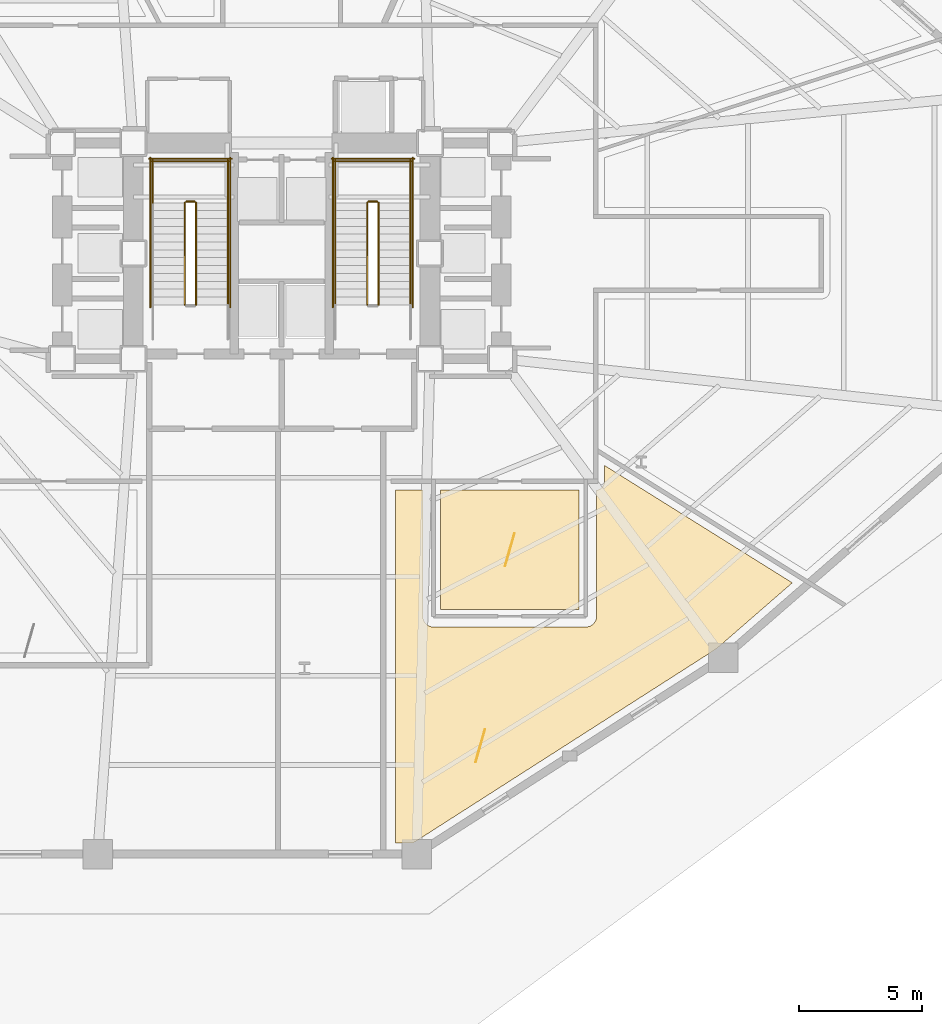
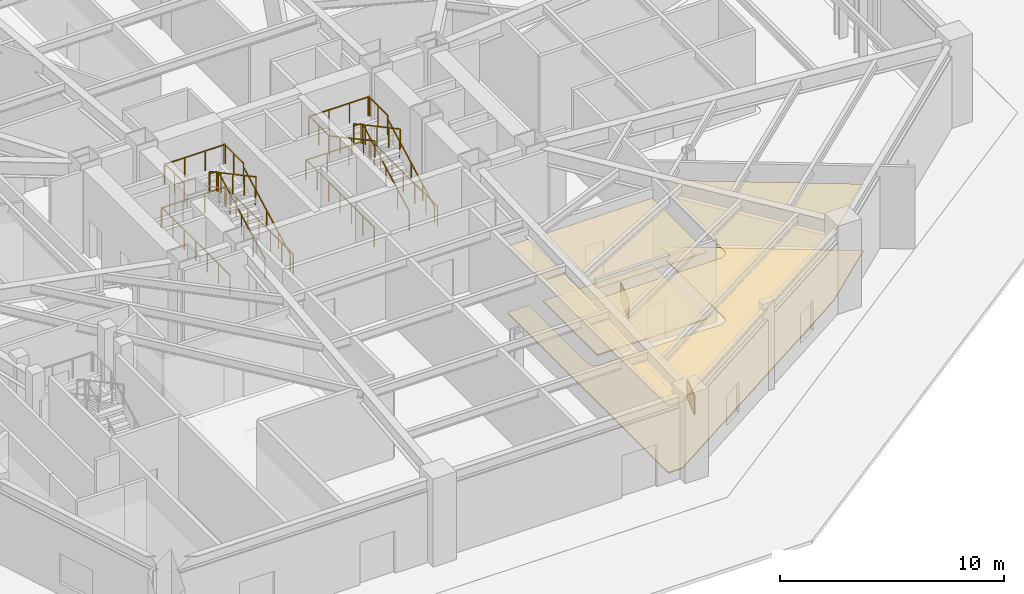
# One storey, part 8 of 10: 21 railings, 6 coverings.
"""IFC4 building model written with IfcOpenShell, lengths in metres."""

from ifc_helpers import new_model, si_unit, direction, frame, origin, origin_2d, place, context, subcontext, project, spatial, polyline, rectangle, outline, extrude, material, layer, layer_set, type_object, element, save


model = new_model("IFC4")

# Units and contexts
model_context = context("Model", 3, precision=1e-05, world=origin(), true_north=direction((0.0, 1.0)))
body_context = subcontext(model_context, "Body", "Model", "MODEL_VIEW")
ifc_project = project(units=[si_unit("LENGTHUNIT", "METRE"), si_unit("AREAUNIT", "SQUARE_METRE"), si_unit("VOLUMEUNIT", "CUBIC_METRE"), si_unit("PLANEANGLEUNIT", "RADIAN"), si_unit("MASSUNIT", "GRAM", prefix="KILO")], contexts=[model_context])

# Site, building, storey
site_placement = place(None, origin())
site = spatial("IfcSite", under=ifc_project, at=site_placement, CompositionType="ELEMENT")
building_placement = place(site_placement, origin())
building = spatial("IfcBuilding", under=site, at=building_placement, Name="Rocaltana Carrier Exchange", CompositionType="ELEMENT")
storey_placement = place(building_placement, origin())
storey = spatial("IfcBuildingStorey", under=building, at=storey_placement, Name="L01", CompositionType="ELEMENT", Elevation=0.0)

# Coverings
ifc_material_1 = material(Name="Calcium Sulphate & Aluminium Pedestal", Category="aluminium")
ifc_layer_1 = layer(ifc_material_1, 0.06005859375)
ifc_layer_set_1 = layer_set([ifc_layer_1], Name="Calcium Sulphate & Aluminium Pedestal")
covering_type_1 = type_object("IfcCoveringType", Name="Anti-Static Raised Exchange Access Floor 60", PredefinedType="FLOORING", material=ifc_layer_set_1)
covering_1_placement = place(storey_placement, origin())
element("IfcCovering", 1, at=covering_1_placement, inside=storey, type_object=covering_type_1, Name="L01 Fire Command Centre Finish Floor", PredefinedType="FLOORING", context=body_context, shape_type="SweptSolid", body=[
    extrude(outline(polyline([(12.1201171875, -14.52001953125), (6.47998046875, -14.52001953125), (6.47998046875, -9.659912109375), (12.1201171875, -9.659912109375), (12.1201171875, -14.52001953125)])), origin(), (0.0, 0.0, 1.0), 0.06005859375),
])
covering_2_placement = place(storey_placement, origin())
element("IfcCovering", 2, at=covering_2_placement, inside=storey, type_object=covering_type_1, Name="L01 Peering Conference Room Finish Floor", PredefinedType="FLOORING", context=body_context, shape_type="SweptSolid", body=[
    extrude(outline(polyline([(12.840087890625, -9.657470703125), (12.848876953125, -9.656494140625), (12.856689453125, -9.655517578125), (12.883544921875, -9.650146484375), (12.891357421875, -9.648193359375), (12.91748046875, -9.64013671875), (12.9248046875, -9.637451171875), (12.9501953125, -9.626953125), (12.95751953125, -9.623779296875), (12.981689453125, -9.610595703125), (12.98828125, -9.606689453125), (13.01123046875, -9.59130859375), (13.017578125, -9.586669921875), (13.038818359375, -9.5693359375), (13.044677734375, -9.56396484375), (13.06396484375, -9.544677734375), (13.0693359375, -9.538818359375), (13.086669921875, -9.517578125), (13.09130859375, -9.51123046875), (13.106689453125, -9.48828125), (13.110595703125, -9.481689453125), (13.123779296875, -9.45751953125), (13.126953125, -9.4501953125), (13.137451171875, -9.4248046875), (13.14013671875, -9.41748046875), (13.148193359375, -9.391357421875), (13.150146484375, -9.383544921875), (13.155517578125, -9.356689453125), (13.156494140625, -9.348876953125), (13.1591796875, -9.321533203125), (13.15966796875, -9.313720703125), (13.159912109375, -9.300048828125), (13.159912109375, -8.647705078125), (20.822509765625, -13.435791015625), (17.7236328125, -16.130615234375), (5.365478515625, -24.0400390625), (4.64990234375, -24.0400390625), (4.64990234375, -9.659912109375), (5.760009765625, -9.659912109375), (5.760009765625, -14.800048828125), (5.76025390625, -14.813720703125), (5.760986328125, -14.829345703125), (5.763916015625, -14.856689453125), (5.76611328125, -14.872314453125), (5.771484375, -14.899169921875), (5.775390625, -14.91455078125), (5.783203125, -14.94091796875), (5.78857421875, -14.95556640625), (5.799072265625, -14.98095703125), (5.805908203125, -14.9951171875), (5.818603515625, -15.019287109375), (5.826904296875, -15.03271484375), (5.842041015625, -15.0556640625), (5.851318359375, -15.068359375), (5.868896484375, -15.089599609375), (5.87939453125, -15.101318359375), (5.898681640625, -15.12060546875), (5.910400390625, -15.131103515625), (5.931640625, -15.148681640625), (5.9443359375, -15.157958984375), (5.96728515625, -15.173095703125), (5.980712890625, -15.181396484375), (6.0048828125, -15.194091796875), (6.01904296875, -15.200927734375), (6.04443359375, -15.21142578125), (6.05908203125, -15.216796875), (6.08544921875, -15.224609375), (6.100830078125, -15.228515625), (6.127685546875, -15.23388671875), (6.143310546875, -15.236083984375), (6.170654296875, -15.239013671875), (6.186279296875, -15.23974609375), (6.199951171875, -15.239990234375), (12.39990234375, -15.239990234375), (12.413818359375, -15.23974609375), (12.429443359375, -15.239013671875), (12.456787109375, -15.236083984375), (12.472412109375, -15.23388671875), (12.499267578125, -15.228515625), (12.514404296875, -15.224609375), (12.540771484375, -15.216796875), (12.5556640625, -15.21142578125), (12.580810546875, -15.200927734375), (12.59521484375, -15.194091796875), (12.619384765625, -15.181396484375), (12.6328125, -15.173095703125), (12.65576171875, -15.157958984375), (12.668212890625, -15.148681640625), (12.689453125, -15.131103515625), (12.701171875, -15.12060546875), (12.720703125, -15.101318359375), (12.731201171875, -15.089599609375), (12.74853515625, -15.068359375), (12.7578125, -15.0556640625), (12.773193359375, -15.03271484375), (12.78125, -15.019287109375), (12.794189453125, -14.9951171875), (12.80078125, -14.98095703125), (12.8115234375, -14.95556640625), (12.816650390625, -14.94091796875), (12.82470703125, -14.91455078125), (12.82861328125, -14.899169921875), (12.833984375, -14.872314453125), (12.836181640625, -14.856689453125), (12.8388671875, -14.829345703125), (12.839599609375, -14.813720703125), (12.840087890625, -14.800048828125), (12.840087890625, -9.657470703125)])), origin(), (0.0, 0.0, 1.0), 0.06005859375),
])
ifc_material_2 = material(Name="Mineral Fibre & Powder-Coated Aluminium", Category="aluminium")
ifc_layer_2 = layer(ifc_material_2, 0.044921875)
ifc_layer_set_2 = layer_set([ifc_layer_2], Name="Mineral Fibre & Powder-Coated Aluminium")
covering_type_2 = type_object("IfcCoveringType", Name="Micro-Perforated Acoustic Ceiling 45", PredefinedType="CEILING", material=ifc_layer_set_2)
covering_3_placement = place(storey_placement, frame((0.0, 0.0, 3.64306640625)))
element("IfcCovering", 3, at=covering_3_placement, inside=storey, type_object=covering_type_2, Name="L01 Fire Command Centre Acoustic Ceiling", PredefinedType="CEILING", context=body_context, shape_type="SweptSolid", body=[
    extrude(outline(polyline([(12.1201171875, -14.52001953125), (6.47998046875, -14.52001953125), (6.47998046875, -9.659912109375), (12.1201171875, -9.659912109375), (12.1201171875, -14.52001953125)])), origin(), (0.0, 0.0, 1.0), 0.044921875),
])
covering_4_placement = place(storey_placement, frame((0.0, 0.0, 3.64306640625)))
element("IfcCovering", 4, at=covering_4_placement, inside=storey, type_object=covering_type_2, Name="L01 Peering Conference Room Acoustic Ceiling", PredefinedType="CEILING", context=body_context, shape_type="SweptSolid", body=[
    extrude(outline(polyline([(12.840087890625, -9.657470703125), (12.848876953125, -9.656494140625), (12.856689453125, -9.655517578125), (12.883544921875, -9.650146484375), (12.891357421875, -9.648193359375), (12.91748046875, -9.64013671875), (12.9248046875, -9.637451171875), (12.9501953125, -9.626953125), (12.95751953125, -9.623779296875), (12.981689453125, -9.610595703125), (12.98828125, -9.606689453125), (13.01123046875, -9.59130859375), (13.017578125, -9.586669921875), (13.038818359375, -9.5693359375), (13.044677734375, -9.56396484375), (13.06396484375, -9.544677734375), (13.0693359375, -9.538818359375), (13.086669921875, -9.517578125), (13.09130859375, -9.51123046875), (13.106689453125, -9.48828125), (13.110595703125, -9.481689453125), (13.123779296875, -9.45751953125), (13.126953125, -9.4501953125), (13.137451171875, -9.4248046875), (13.14013671875, -9.41748046875), (13.148193359375, -9.391357421875), (13.150146484375, -9.383544921875), (13.155517578125, -9.356689453125), (13.156494140625, -9.348876953125), (13.1591796875, -9.321533203125), (13.15966796875, -9.313720703125), (13.159912109375, -9.300048828125), (13.159912109375, -8.647705078125), (20.822509765625, -13.435791015625), (17.7236328125, -16.130615234375), (5.365478515625, -24.0400390625), (4.64990234375, -24.0400390625), (4.64990234375, -9.659912109375), (5.760009765625, -9.659912109375), (5.760009765625, -14.800048828125), (5.76025390625, -14.813720703125), (5.760986328125, -14.829345703125), (5.763916015625, -14.856689453125), (5.76611328125, -14.872314453125), (5.771484375, -14.899169921875), (5.775390625, -14.91455078125), (5.783203125, -14.94091796875), (5.78857421875, -14.95556640625), (5.799072265625, -14.98095703125), (5.805908203125, -14.9951171875), (5.818603515625, -15.019287109375), (5.826904296875, -15.03271484375), (5.842041015625, -15.0556640625), (5.851318359375, -15.068359375), (5.868896484375, -15.089599609375), (5.87939453125, -15.101318359375), (5.898681640625, -15.12060546875), (5.910400390625, -15.131103515625), (5.931640625, -15.148681640625), (5.9443359375, -15.157958984375), (5.96728515625, -15.173095703125), (5.980712890625, -15.181396484375), (6.0048828125, -15.194091796875), (6.01904296875, -15.200927734375), (6.04443359375, -15.21142578125), (6.05908203125, -15.216796875), (6.08544921875, -15.224609375), (6.100830078125, -15.228515625), (6.127685546875, -15.23388671875), (6.143310546875, -15.236083984375), (6.170654296875, -15.239013671875), (6.186279296875, -15.23974609375), (6.199951171875, -15.239990234375), (12.39990234375, -15.239990234375), (12.413818359375, -15.23974609375), (12.429443359375, -15.239013671875), (12.456787109375, -15.236083984375), (12.472412109375, -15.23388671875), (12.499267578125, -15.228515625), (12.514404296875, -15.224609375), (12.540771484375, -15.216796875), (12.5556640625, -15.21142578125), (12.580810546875, -15.200927734375), (12.59521484375, -15.194091796875), (12.619384765625, -15.181396484375), (12.6328125, -15.173095703125), (12.65576171875, -15.157958984375), (12.668212890625, -15.148681640625), (12.689453125, -15.131103515625), (12.701171875, -15.12060546875), (12.720703125, -15.101318359375), (12.731201171875, -15.089599609375), (12.74853515625, -15.068359375), (12.7578125, -15.0556640625), (12.773193359375, -15.03271484375), (12.78125, -15.019287109375), (12.794189453125, -14.9951171875), (12.80078125, -14.98095703125), (12.8115234375, -14.95556640625), (12.816650390625, -14.94091796875), (12.82470703125, -14.91455078125), (12.82861328125, -14.899169921875), (12.833984375, -14.872314453125), (12.836181640625, -14.856689453125), (12.8388671875, -14.829345703125), (12.839599609375, -14.813720703125), (12.840087890625, -14.800048828125), (12.840087890625, -9.657470703125)])), origin(), (0.0, 0.0, 1.0), 0.044921875),
])

# Railings
ifc_material_3 = material(Name="Brushed Architectural Stainless Tube", Category="steel")
ifc_layer_3 = layer(ifc_material_3, 0.048095703125)
ifc_layer_set_3 = layer_set([ifc_layer_3], Name="Brushed Architectural Stainless Tube")
railing_type_1 = type_object("IfcRailingType", Name="Stair Wall Handrail 920", PredefinedType="HANDRAIL", material=ifc_layer_set_3)
for number, where, name in (
    (5, (-2.18994140625, -2.10009765625, 0.17138671875), "L01 ST-1 stair handrail 1"),
    (6, (5.25, -2.10009765625, 0.17138671875), "L01 ST-2 stair handrail 1"),
):
    element("IfcRailing", number, at=place(storey_placement, frame(where)), inside=storey, type_object=railing_type_1, Name=name, PredefinedType="HANDRAIL", context=body_context, shape_type="SweptSolid", body=[
        extrude(rectangle(XDim=0.048095703125, YDim=0.048095703125, at=origin_2d()), frame((0.0, 0.0, 0.8759765625), z_axis=(0.0, 0.881492274372, 0.472198443689), x_axis=(-1.0, 0.0, 0.0)), (0.0, 0.0, 1.0), 4.719482421875),
        extrude(rectangle(XDim=0.0419921875, YDim=0.0419921875, at=origin_2d()), origin(), (0.0, 0.0, 1.0), 0.851806640625),
        extrude(rectangle(XDim=0.0419921875, YDim=0.0419921875, at=origin_2d()), frame((0.0, 1.0400390625, 0.55712890625)), (0.0, 0.0, 1.0), 0.851806640625),
        extrude(rectangle(XDim=0.0419921875, YDim=0.0419921875, at=origin_2d()), frame((0.0, 2.080078125, 1.1142578125)), (0.0, 0.0, 1.0), 0.851806640625),
        extrude(rectangle(XDim=0.0419921875, YDim=0.0419921875, at=origin_2d()), frame((0.0, 3.1201171875, 1.67138671875)), (0.0, 0.0, 1.0), 0.851806640625),
        extrude(rectangle(XDim=0.0419921875, YDim=0.0419921875, at=origin_2d()), frame((0.0, 4.16015625, 2.228515625)), (0.0, 0.0, 1.0), 0.851806640625),
    ])
railing_1_placement = place(storey_placement, frame((2.18994140625, 2.06005859375, 2.571533203125)))
element("IfcRailing", 7, at=railing_1_placement, inside=storey, type_object=railing_type_1, Name="L01 ST-2 stair handrail 2", PredefinedType="HANDRAIL", context=body_context, shape_type="SweptSolid", body=[
    extrude(rectangle(XDim=0.048095703125, YDim=0.048095703125, at=origin_2d()), frame((0.0, 0.0, 0.8759765625), z_axis=(0.0, -0.881492274372, 0.472198443689), x_axis=(1.0, 0.0, 0.0)), (0.0, 0.0, 1.0), 4.719482421875),
    extrude(rectangle(XDim=0.0419921875, YDim=0.0419921875, at=origin_2d()), origin(), (0.0, 0.0, 1.0), 0.851806640625),
    extrude(rectangle(XDim=0.0419921875, YDim=0.0419921875, at=origin_2d()), frame((0.0, -1.0400390625, 0.55712890625)), (0.0, 0.0, 1.0), 0.851806640625),
    extrude(rectangle(XDim=0.0419921875, YDim=0.0419921875, at=origin_2d()), frame((0.0, -2.080078125, 1.1142578125)), (0.0, 0.0, 1.0), 0.851806640625),
    extrude(rectangle(XDim=0.0419921875, YDim=0.0419921875, at=origin_2d()), frame((0.0, -3.1201171875, 1.67138671875)), (0.0, 0.0, 1.0), 0.851806640625),
    extrude(rectangle(XDim=0.0419921875, YDim=0.0419921875, at=origin_2d()), frame((0.0, -4.16015625, 2.228515625)), (0.0, 0.0, 1.0), 0.851806640625),
])
ifc_material_4 = material(Name="Powder-Coated Aluminium 6063-T6", Category="aluminium")
ifc_layer_4 = layer(ifc_material_4, 0.048095703125)
ifc_layer_set_4 = layer_set([ifc_layer_4], Name="Powder-Coated Aluminium 6063-T6")
railing_type_2 = type_object("IfcRailingType", Name="Stair Well Guardrail 1100", PredefinedType="GUARDRAIL", material=ifc_layer_set_4)
railing_2_placement = place(storey_placement, frame((-3.489990234375, -2.10009765625, 0.17138671875)))
element("IfcRailing", 8, at=railing_2_placement, inside=storey, type_object=railing_type_2, Name="L01 ST-1 stair guard 1", PredefinedType="GUARDRAIL", context=body_context, shape_type="SweptSolid", body=[
    extrude(rectangle(XDim=0.048095703125, YDim=0.048095703125, at=origin_2d()), frame((0.0, 0.0, 1.076171875), z_axis=(0.0, 0.881492274372, 0.472198443689), x_axis=(-1.0, 0.0, 0.0)), (0.0, 0.0, 1.0), 4.719482421875),
    extrude(rectangle(XDim=0.0419921875, YDim=0.0419921875, at=origin_2d()), origin(), (0.0, 0.0, 1.0), 1.052001953125),
    extrude(rectangle(XDim=0.0419921875, YDim=0.0419921875, at=origin_2d()), frame((0.0, 1.0400390625, 0.55712890625)), (0.0, 0.0, 1.0), 1.052001953125),
    extrude(rectangle(XDim=0.0419921875, YDim=0.0419921875, at=origin_2d()), frame((0.0, 2.080078125, 1.1142578125)), (0.0, 0.0, 1.0), 1.052001953125),
    extrude(rectangle(XDim=0.0419921875, YDim=0.0419921875, at=origin_2d()), frame((0.0, 3.1201171875, 1.67138671875)), (0.0, 0.0, 1.0), 1.052001953125),
    extrude(rectangle(XDim=0.0419921875, YDim=0.0419921875, at=origin_2d()), frame((0.0, 4.16015625, 2.228515625)), (0.0, 0.0, 1.0), 1.052001953125),
])
railing_3_placement = place(storey_placement, frame((-3.5400390625, 2.110107421875, 2.39990234375)))
element("IfcRailing", 9, at=railing_3_placement, inside=storey, type_object=railing_type_2, Name="L01 ST-1 stair guard 2", PredefinedType="GUARDRAIL", context=body_context, shape_type="SweptSolid", body=[
    extrude(rectangle(XDim=0.048095703125, YDim=0.048095703125, at=origin_2d()), frame((0.0, 0.0, 1.076171875), z_axis=(-1.0, 0.0, 0.0), x_axis=(0.0, -1.0, 0.0)), (0.0, 0.0, 1.0), 0.35986328125),
    extrude(rectangle(XDim=0.0419921875, YDim=0.0419921875, at=origin_2d()), origin(), (0.0, 0.0, 1.0), 1.052001953125),
    extrude(rectangle(XDim=0.0419921875, YDim=0.0419921875, at=origin_2d()), frame((-0.35986328125, 0.0, 0.0)), (0.0, 0.0, 1.0), 1.052001953125),
])
for number, where, name in (
    (10, (-2.18994140625, 2.06005859375, 2.39990234375), "L01 ST-1 stair guard 3"),
    (11, (-5.25, 2.06005859375, 2.39990234375), "L01 ST-1 stair guard 4"),
):
    element("IfcRailing", number, at=place(storey_placement, frame(where)), inside=storey, type_object=railing_type_2, Name=name, PredefinedType="GUARDRAIL", context=body_context, shape_type="SweptSolid", body=[
        extrude(rectangle(XDim=0.048095703125, YDim=0.048095703125, at=origin_2d()), frame((0.0, 0.0, 1.076171875), z_axis=(0.0, 1.0, 0.0), x_axis=(-1.0, 0.0, 0.0)), (0.0, 0.0, 1.0), 1.739990234375),
        extrude(rectangle(XDim=0.0419921875, YDim=0.0419921875, at=origin_2d()), origin(), (0.0, 0.0, 1.0), 1.052001953125),
        extrude(rectangle(XDim=0.0419921875, YDim=0.0419921875, at=origin_2d()), frame((0.0, 0.8701171875, 0.0)), (0.0, 0.0, 1.0), 1.052001953125),
        extrude(rectangle(XDim=0.0419921875, YDim=0.0419921875, at=origin_2d()), frame((0.0, 1.739990234375, 0.0)), (0.0, 0.0, 1.0), 1.052001953125),
    ])
railing_4_placement = place(storey_placement, frame((-2.139892578125, 3.75, 2.39990234375)))
element("IfcRailing", 12, at=railing_4_placement, inside=storey, type_object=railing_type_2, Name="L01 ST-1 stair guard 5", PredefinedType="GUARDRAIL", context=body_context, shape_type="SweptSolid", body=[
    extrude(rectangle(XDim=0.048095703125, YDim=0.048095703125, at=origin_2d()), frame((0.0, 0.0, 1.076171875), z_axis=(-1.0, 0.0, 0.0), x_axis=(0.0, -1.0, 0.0)), (0.0, 0.0, 1.0), 3.16015625),
    extrude(rectangle(XDim=0.0419921875, YDim=0.0419921875, at=origin_2d()), origin(), (0.0, 0.0, 1.0), 1.052001953125),
    extrude(rectangle(XDim=0.0419921875, YDim=0.0419921875, at=origin_2d()), frame((-1.053466796875, 0.0, 0.0)), (0.0, 0.0, 1.0), 1.052001953125),
    extrude(rectangle(XDim=0.0419921875, YDim=0.0419921875, at=origin_2d()), frame((-2.106689453125, 0.0, 0.0)), (0.0, 0.0, 1.0), 1.052001953125),
    extrude(rectangle(XDim=0.0419921875, YDim=0.0419921875, at=origin_2d()), frame((-3.16015625, 0.0, 0.0)), (0.0, 0.0, 1.0), 1.052001953125),
])
railing_5_placement = place(storey_placement, frame((-3.949951171875, 2.06005859375, 2.571533203125)))
element("IfcRailing", 13, at=railing_5_placement, inside=storey, type_object=railing_type_2, Name="L01 ST-1 stair guard 6", PredefinedType="GUARDRAIL", context=body_context, shape_type="SweptSolid", body=[
    extrude(rectangle(XDim=0.048095703125, YDim=0.048095703125, at=origin_2d()), frame((0.0, 0.0, 1.076171875), z_axis=(0.0, -0.881492274372, 0.472198443689), x_axis=(1.0, 0.0, 0.0)), (0.0, 0.0, 1.0), 4.719482421875),
    extrude(rectangle(XDim=0.0419921875, YDim=0.0419921875, at=origin_2d()), origin(), (0.0, 0.0, 1.0), 1.052001953125),
    extrude(rectangle(XDim=0.0419921875, YDim=0.0419921875, at=origin_2d()), frame((0.0, -1.0400390625, 0.55712890625)), (0.0, 0.0, 1.0), 1.052001953125),
    extrude(rectangle(XDim=0.0419921875, YDim=0.0419921875, at=origin_2d()), frame((0.0, -2.080078125, 1.1142578125)), (0.0, 0.0, 1.0), 1.052001953125),
    extrude(rectangle(XDim=0.0419921875, YDim=0.0419921875, at=origin_2d()), frame((0.0, -3.1201171875, 1.67138671875)), (0.0, 0.0, 1.0), 1.052001953125),
    extrude(rectangle(XDim=0.0419921875, YDim=0.0419921875, at=origin_2d()), frame((0.0, -4.16015625, 2.228515625)), (0.0, 0.0, 1.0), 1.052001953125),
])
for number, where, name in (
    (14, (-2.090087890625, -2.199951171875, 0.0), "L01 ST-1 stair guard 10"),
    (15, (-5.35009765625, -2.199951171875, 0.0), "L01 ST-1 stair guard 11"),
):
    element("IfcRailing", number, at=place(storey_placement, frame(where)), inside=storey, type_object=railing_type_2, Name=name, PredefinedType="GUARDRAIL", context=body_context, shape_type="SweptSolid", body=[
        extrude(rectangle(XDim=0.048095703125, YDim=0.048095703125, at=origin_2d()), frame((0.0, 0.0, 1.076171875), z_axis=(0.0, 1.0, 0.0), x_axis=(-1.0, 0.0, 0.0)), (0.0, 0.0, 1.0), 6.099853515625),
        extrude(rectangle(XDim=0.0419921875, YDim=0.0419921875, at=origin_2d()), origin(), (0.0, 0.0, 1.0), 1.052001953125),
        extrude(rectangle(XDim=0.0419921875, YDim=0.0419921875, at=origin_2d()), frame((0.0, 1.0166015625, 0.0)), (0.0, 0.0, 1.0), 1.052001953125),
        extrude(rectangle(XDim=0.0419921875, YDim=0.0419921875, at=origin_2d()), frame((0.0, 2.033203125, 0.0)), (0.0, 0.0, 1.0), 1.052001953125),
        extrude(rectangle(XDim=0.0419921875, YDim=0.0419921875, at=origin_2d()), frame((0.0, 3.0498046875, 0.0)), (0.0, 0.0, 1.0), 1.052001953125),
        extrude(rectangle(XDim=0.0419921875, YDim=0.0419921875, at=origin_2d()), frame((0.0, 4.066650390625, 0.0)), (0.0, 0.0, 1.0), 1.052001953125),
        extrude(rectangle(XDim=0.0419921875, YDim=0.0419921875, at=origin_2d()), frame((0.0, 5.083251953125, 0.0)), (0.0, 0.0, 1.0), 1.052001953125),
        extrude(rectangle(XDim=0.0419921875, YDim=0.0419921875, at=origin_2d()), frame((0.0, 6.099853515625, 0.0)), (0.0, 0.0, 1.0), 1.052001953125),
    ])
railing_6_placement = place(storey_placement, frame((-2.0400390625, 3.85009765625, 0.0)))
element("IfcRailing", 16, at=railing_6_placement, inside=storey, type_object=railing_type_2, Name="L01 ST-1 stair guard 12", PredefinedType="GUARDRAIL", context=body_context, shape_type="SweptSolid", body=[
    extrude(rectangle(XDim=0.048095703125, YDim=0.048095703125, at=origin_2d()), frame((0.0, 0.0, 1.076171875), z_axis=(-1.0, 0.0, 0.0), x_axis=(0.0, -1.0, 0.0)), (0.0, 0.0, 1.0), 3.35986328125),
    extrude(rectangle(XDim=0.0419921875, YDim=0.0419921875, at=origin_2d()), origin(), (0.0, 0.0, 1.0), 1.052001953125),
    extrude(rectangle(XDim=0.0419921875, YDim=0.0419921875, at=origin_2d()), frame((-1.119873046875, 0.0, 0.0)), (0.0, 0.0, 1.0), 1.052001953125),
    extrude(rectangle(XDim=0.0419921875, YDim=0.0419921875, at=origin_2d()), frame((-2.239990234375, 0.0, 0.0)), (0.0, 0.0, 1.0), 1.052001953125),
    extrude(rectangle(XDim=0.0419921875, YDim=0.0419921875, at=origin_2d()), frame((-3.35986328125, 0.0, 0.0)), (0.0, 0.0, 1.0), 1.052001953125),
])
railing_7_placement = place(storey_placement, frame((3.949951171875, -2.10009765625, 0.17138671875)))
element("IfcRailing", 17, at=railing_7_placement, inside=storey, type_object=railing_type_2, Name="L01 ST-2 stair guard 1", PredefinedType="GUARDRAIL", context=body_context, shape_type="SweptSolid", body=[
    extrude(rectangle(XDim=0.048095703125, YDim=0.048095703125, at=origin_2d()), frame((0.0, 0.0, 1.076171875), z_axis=(0.0, 0.881492274372, 0.472198443689), x_axis=(-1.0, 0.0, 0.0)), (0.0, 0.0, 1.0), 4.719482421875),
    extrude(rectangle(XDim=0.0419921875, YDim=0.0419921875, at=origin_2d()), origin(), (0.0, 0.0, 1.0), 1.052001953125),
    extrude(rectangle(XDim=0.0419921875, YDim=0.0419921875, at=origin_2d()), frame((0.0, 1.0400390625, 0.55712890625)), (0.0, 0.0, 1.0), 1.052001953125),
    extrude(rectangle(XDim=0.0419921875, YDim=0.0419921875, at=origin_2d()), frame((0.0, 2.080078125, 1.1142578125)), (0.0, 0.0, 1.0), 1.052001953125),
    extrude(rectangle(XDim=0.0419921875, YDim=0.0419921875, at=origin_2d()), frame((0.0, 3.1201171875, 1.67138671875)), (0.0, 0.0, 1.0), 1.052001953125),
    extrude(rectangle(XDim=0.0419921875, YDim=0.0419921875, at=origin_2d()), frame((0.0, 4.16015625, 2.228515625)), (0.0, 0.0, 1.0), 1.052001953125),
])
railing_8_placement = place(storey_placement, frame((3.89990234375, 2.110107421875, 2.39990234375)))
element("IfcRailing", 18, at=railing_8_placement, inside=storey, type_object=railing_type_2, Name="L01 ST-2 stair guard 2", PredefinedType="GUARDRAIL", context=body_context, shape_type="SweptSolid", body=[
    extrude(rectangle(XDim=0.048095703125, YDim=0.048095703125, at=origin_2d()), frame((0.0, 0.0, 1.076171875), z_axis=(-1.0, 0.0, 0.0), x_axis=(0.0, -1.0, 0.0)), (0.0, 0.0, 1.0), 0.35986328125),
    extrude(rectangle(XDim=0.0419921875, YDim=0.0419921875, at=origin_2d()), origin(), (0.0, 0.0, 1.0), 1.052001953125),
    extrude(rectangle(XDim=0.0419921875, YDim=0.0419921875, at=origin_2d()), frame((-0.35986328125, 0.0, 0.0)), (0.0, 0.0, 1.0), 1.052001953125),
])
for number, where, name in (
    (19, (5.25, 2.06005859375, 2.39990234375), "L01 ST-2 stair guard 3"),
    (20, (2.18994140625, 2.06005859375, 2.39990234375), "L01 ST-2 stair guard 4"),
):
    element("IfcRailing", number, at=place(storey_placement, frame(where)), inside=storey, type_object=railing_type_2, Name=name, PredefinedType="GUARDRAIL", context=body_context, shape_type="SweptSolid", body=[
        extrude(rectangle(XDim=0.048095703125, YDim=0.048095703125, at=origin_2d()), frame((0.0, 0.0, 1.076171875), z_axis=(0.0, 1.0, 0.0), x_axis=(-1.0, 0.0, 0.0)), (0.0, 0.0, 1.0), 1.739990234375),
        extrude(rectangle(XDim=0.0419921875, YDim=0.0419921875, at=origin_2d()), origin(), (0.0, 0.0, 1.0), 1.052001953125),
        extrude(rectangle(XDim=0.0419921875, YDim=0.0419921875, at=origin_2d()), frame((0.0, 0.8701171875, 0.0)), (0.0, 0.0, 1.0), 1.052001953125),
        extrude(rectangle(XDim=0.0419921875, YDim=0.0419921875, at=origin_2d()), frame((0.0, 1.739990234375, 0.0)), (0.0, 0.0, 1.0), 1.052001953125),
    ])
railing_9_placement = place(storey_placement, frame((5.300048828125, 3.75, 2.39990234375)))
element("IfcRailing", 21, at=railing_9_placement, inside=storey, type_object=railing_type_2, Name="L01 ST-2 stair guard 5", PredefinedType="GUARDRAIL", context=body_context, shape_type="SweptSolid", body=[
    extrude(rectangle(XDim=0.048095703125, YDim=0.048095703125, at=origin_2d()), frame((0.0, 0.0, 1.076171875), z_axis=(-1.0, 0.0, 0.0), x_axis=(0.0, -1.0, 0.0)), (0.0, 0.0, 1.0), 3.16015625),
    extrude(rectangle(XDim=0.0419921875, YDim=0.0419921875, at=origin_2d()), origin(), (0.0, 0.0, 1.0), 1.052001953125),
    extrude(rectangle(XDim=0.0419921875, YDim=0.0419921875, at=origin_2d()), frame((-1.053466796875, 0.0, 0.0)), (0.0, 0.0, 1.0), 1.052001953125),
    extrude(rectangle(XDim=0.0419921875, YDim=0.0419921875, at=origin_2d()), frame((-2.106689453125, 0.0, 0.0)), (0.0, 0.0, 1.0), 1.052001953125),
    extrude(rectangle(XDim=0.0419921875, YDim=0.0419921875, at=origin_2d()), frame((-3.16015625, 0.0, 0.0)), (0.0, 0.0, 1.0), 1.052001953125),
])
railing_10_placement = place(storey_placement, frame((3.489990234375, 2.06005859375, 2.571533203125)))
element("IfcRailing", 22, at=railing_10_placement, inside=storey, type_object=railing_type_2, Name="L01 ST-2 stair guard 6", PredefinedType="GUARDRAIL", context=body_context, shape_type="SweptSolid", body=[
    extrude(rectangle(XDim=0.048095703125, YDim=0.048095703125, at=origin_2d()), frame((0.0, 0.0, 1.076171875), z_axis=(0.0, -0.881492274372, 0.472198443689), x_axis=(1.0, 0.0, 0.0)), (0.0, 0.0, 1.0), 4.719482421875),
    extrude(rectangle(XDim=0.0419921875, YDim=0.0419921875, at=origin_2d()), origin(), (0.0, 0.0, 1.0), 1.052001953125),
    extrude(rectangle(XDim=0.0419921875, YDim=0.0419921875, at=origin_2d()), frame((0.0, -1.0400390625, 0.55712890625)), (0.0, 0.0, 1.0), 1.052001953125),
    extrude(rectangle(XDim=0.0419921875, YDim=0.0419921875, at=origin_2d()), frame((0.0, -2.080078125, 1.1142578125)), (0.0, 0.0, 1.0), 1.052001953125),
    extrude(rectangle(XDim=0.0419921875, YDim=0.0419921875, at=origin_2d()), frame((0.0, -3.1201171875, 1.67138671875)), (0.0, 0.0, 1.0), 1.052001953125),
    extrude(rectangle(XDim=0.0419921875, YDim=0.0419921875, at=origin_2d()), frame((0.0, -4.16015625, 2.228515625)), (0.0, 0.0, 1.0), 1.052001953125),
])
for number, where, name in (
    (23, (5.35009765625, -2.199951171875, 0.0), "L01 ST-2 stair guard 10"),
    (24, (2.090087890625, -2.199951171875, 0.0), "L01 ST-2 stair guard 11"),
):
    element("IfcRailing", number, at=place(storey_placement, frame(where)), inside=storey, type_object=railing_type_2, Name=name, PredefinedType="GUARDRAIL", context=body_context, shape_type="SweptSolid", body=[
        extrude(rectangle(XDim=0.048095703125, YDim=0.048095703125, at=origin_2d()), frame((0.0, 0.0, 1.076171875), z_axis=(0.0, 1.0, 0.0), x_axis=(-1.0, 0.0, 0.0)), (0.0, 0.0, 1.0), 6.099853515625),
        extrude(rectangle(XDim=0.0419921875, YDim=0.0419921875, at=origin_2d()), origin(), (0.0, 0.0, 1.0), 1.052001953125),
        extrude(rectangle(XDim=0.0419921875, YDim=0.0419921875, at=origin_2d()), frame((0.0, 1.0166015625, 0.0)), (0.0, 0.0, 1.0), 1.052001953125),
        extrude(rectangle(XDim=0.0419921875, YDim=0.0419921875, at=origin_2d()), frame((0.0, 2.033203125, 0.0)), (0.0, 0.0, 1.0), 1.052001953125),
        extrude(rectangle(XDim=0.0419921875, YDim=0.0419921875, at=origin_2d()), frame((0.0, 3.0498046875, 0.0)), (0.0, 0.0, 1.0), 1.052001953125),
        extrude(rectangle(XDim=0.0419921875, YDim=0.0419921875, at=origin_2d()), frame((0.0, 4.066650390625, 0.0)), (0.0, 0.0, 1.0), 1.052001953125),
        extrude(rectangle(XDim=0.0419921875, YDim=0.0419921875, at=origin_2d()), frame((0.0, 5.083251953125, 0.0)), (0.0, 0.0, 1.0), 1.052001953125),
        extrude(rectangle(XDim=0.0419921875, YDim=0.0419921875, at=origin_2d()), frame((0.0, 6.099853515625, 0.0)), (0.0, 0.0, 1.0), 1.052001953125),
    ])
railing_11_placement = place(storey_placement, frame((5.39990234375, 3.85009765625, 0.0)))
element("IfcRailing", 25, at=railing_11_placement, inside=storey, type_object=railing_type_2, Name="L01 ST-2 stair guard 12", PredefinedType="GUARDRAIL", context=body_context, shape_type="SweptSolid", body=[
    extrude(rectangle(XDim=0.048095703125, YDim=0.048095703125, at=origin_2d()), frame((0.0, 0.0, 1.076171875), z_axis=(-1.0, 0.0, 0.0), x_axis=(0.0, -1.0, 0.0)), (0.0, 0.0, 1.0), 3.35986328125),
    extrude(rectangle(XDim=0.0419921875, YDim=0.0419921875, at=origin_2d()), origin(), (0.0, 0.0, 1.0), 1.052001953125),
    extrude(rectangle(XDim=0.0419921875, YDim=0.0419921875, at=origin_2d()), frame((-1.119873046875, 0.0, 0.0)), (0.0, 0.0, 1.0), 1.052001953125),
    extrude(rectangle(XDim=0.0419921875, YDim=0.0419921875, at=origin_2d()), frame((-2.239990234375, 0.0, 0.0)), (0.0, 0.0, 1.0), 1.052001953125),
    extrude(rectangle(XDim=0.0419921875, YDim=0.0419921875, at=origin_2d()), frame((-3.35986328125, 0.0, 0.0)), (0.0, 0.0, 1.0), 1.052001953125),
])

# Coverings
ifc_material_5 = material(Name="Honed Piedra Muneca Sandstone", Category="masonry")
ifc_layer_5 = layer(ifc_material_5, 0.034912109375)
ifc_layer_set_5 = layer_set([ifc_layer_5], Name="Honed Piedra Muneca Sandstone")
covering_type_3 = type_object("IfcCoveringType", Name="Stone Facade Cladding 35", PredefinedType="CLADDING", material=ifc_layer_set_5)
for number, where, z_axis, x_axis, name in (
    (26, (9.300048828125, -12.090087890625, 0.0), (0.0, 0.0, 1.0), (0.275637355817, 0.961261695938, 0.0), "L01 Stone Facade Cladding Panel 1"),
    (27, (8.097412109375, -20.08544921875, 0.0), (0.0, 0.0, 1.0), (0.275637355817, 0.961261695938, 0.0), "L01 Stone Facade Cladding Panel 6"),
):
    element("IfcCovering", number, at=place(storey_placement, frame(where, z_axis=z_axis, x_axis=x_axis)), inside=storey, type_object=covering_type_3, Name=name, PredefinedType="CLADDING", context=body_context, shape_type="SweptSolid", body=[
        extrude(rectangle(XDim=1.39990234375, YDim=0.034912109375, at=origin_2d()), origin(), (0.0, 0.0, 1.0), 1.050048828125),
    ])

save(model, "model.ifc")
